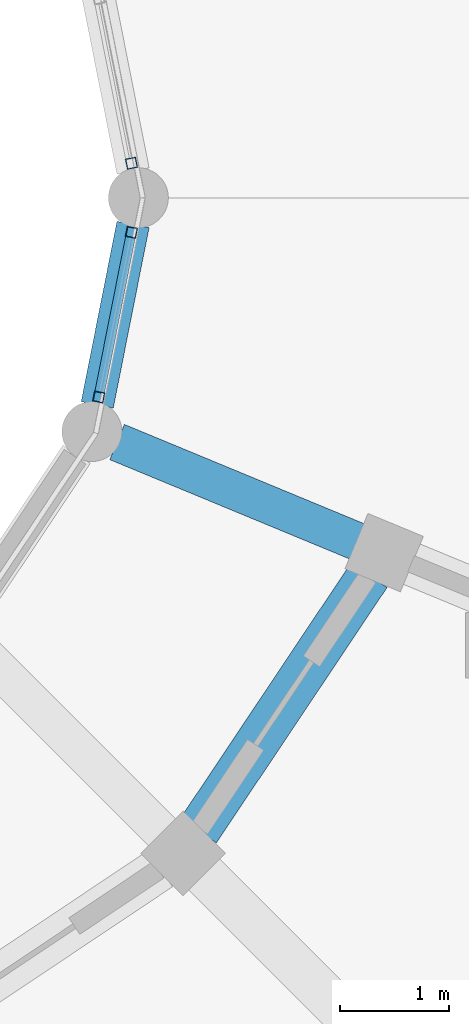
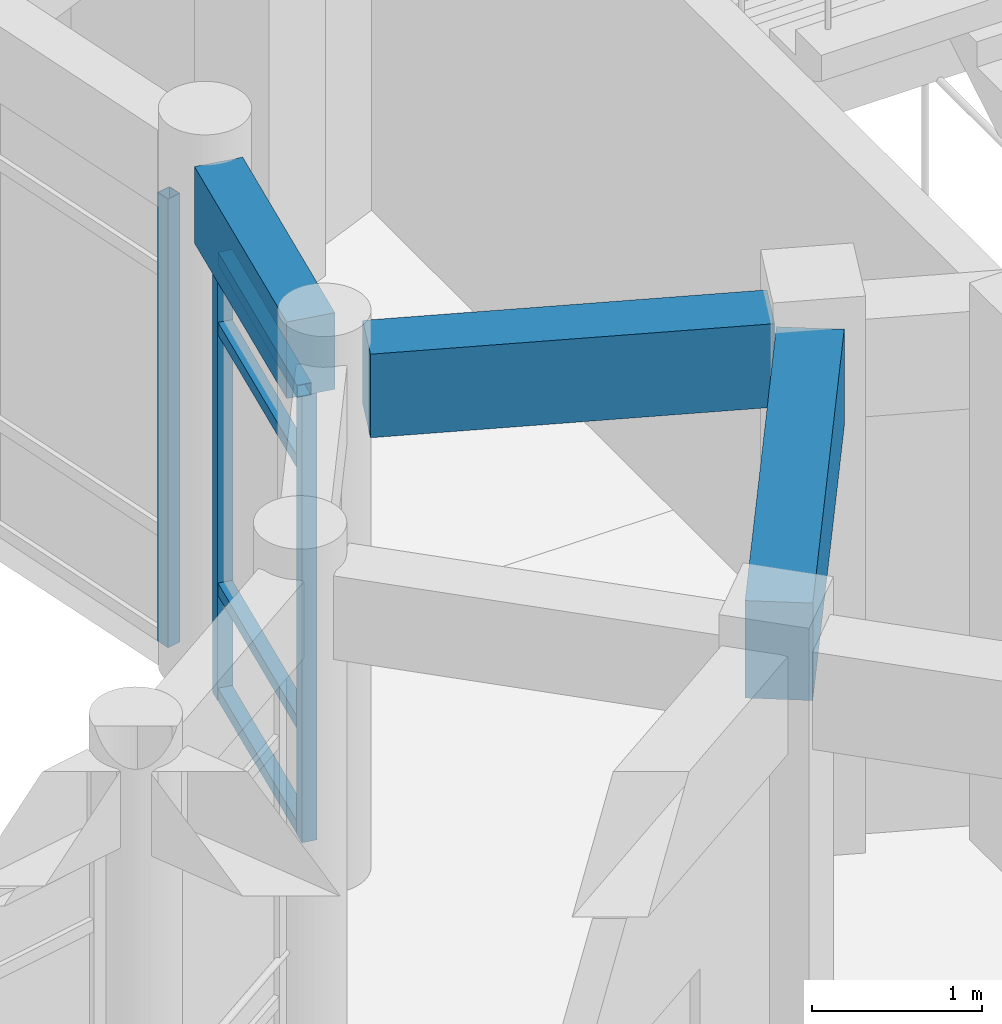
# One storey, part 29 of 112: 7 members, 3 beams, 2 elements without a shape of their own.
"""IFC4 building model written with IfcOpenShell, lengths in metres."""

import ifcopenshell
import ifcopenshell.guid

model = None  # the IFC model being written
_history = None  # IfcOwnerHistory: only IFC2X3 demands one
_inside = {}  # id of a spatial element -> (the spatial element, [elements in it])
_under = {}  # id of a project, library or spatial element -> (it, [spatial elements below it])
_declared = {}  # id of a project -> (the project, [libraries it declares])
_typed = {}  # id of a type object -> (the type object, [elements of that type])
_made_of = {}  # id of a material, layer set ... -> (it, [elements and type objects made of it])


def new_model(schema):
    """Start an empty IFC model of exactly this schema.

    Asked for "IFC4X3", IfcOpenShell would pick the latest addendum, in which some entities
    have other attributes; the version numbers below select the first issue.
    IFC2X3 requires an IfcOwnerHistory on every rooted entity: one is made here for all.
    """
    global model, _history
    if schema == "IFC4X3":
        model = ifcopenshell.file(schema_version=(4, 3, 0, 0))
    else:
        model = ifcopenshell.file(schema=schema)
    _inside.clear()
    _under.clear()
    _declared.clear()
    _typed.clear()
    _made_of.clear()
    _history = None
    if model.schema == "IFC2X3":
        org = make("IfcOrganization", Name="unknown")
        user = make(
            "IfcPersonAndOrganization",
            ThePerson=make("IfcPerson", FamilyName="unknown"),
            TheOrganization=org,
        )
        app = make(
            "IfcApplication",
            ApplicationDeveloper=org,
            Version="unknown",
            ApplicationFullName="unknown",
            ApplicationIdentifier="unknown",
        )
        _history = make(
            "IfcOwnerHistory",
            OwningUser=user,
            OwningApplication=app,
            ChangeAction="ADDED",
            CreationDate=0,
        )
    return model


def make(cls, **values):
    """One entity of the class cls with the attributes given. An attribute that is None is left unset."""
    return model.create_entity(
        cls, **{name: value for name, value in values.items() if value is not None}
    )


def rooted(cls, **values):
    """An entity with a GlobalId (a new one), such as an element, a storey or a relation."""
    return make(cls, GlobalId=ifcopenshell.guid.new(), OwnerHistory=_history, **values)


def si_unit(unit_type, name, prefix=None):
    """IfcSIUnit, for example si_unit("LENGTHUNIT", "METRE", prefix="MILLI")."""
    return make("IfcSIUnit", UnitType=unit_type, Prefix=prefix, Name=name)


def assignment(units):
    """IfcUnitAssignment: the units of a project."""
    return None if units is None else make("IfcUnitAssignment", Units=units)


def point(xyz):
    """IfcCartesianPoint."""
    return None if xyz is None else make("IfcCartesianPoint", Coordinates=xyz)


def direction(xyz):
    """IfcDirection."""
    return None if xyz is None else make("IfcDirection", DirectionRatios=xyz)


def frame(location, z_axis=None, x_axis=None):
    """IfcAxis2Placement3D, a coordinate frame: its origin and axes. An axis left out is left unset."""
    return make(
        "IfcAxis2Placement3D",
        Location=point(location),
        Axis=direction(z_axis),
        RefDirection=direction(x_axis),
    )


def frame_2d(location, x_axis=None):
    """IfcAxis2Placement2D, a coordinate frame in the plane: its origin and x axis."""
    return make(
        "IfcAxis2Placement2D", Location=point(location), RefDirection=direction(x_axis)
    )


def origin():
    """The frame at (0, 0, 0) with its axes left unset."""
    return frame((0.0, 0.0, 0.0))


def origin_2d():
    """The frame at (0, 0) in the plane with its x axis left unset."""
    return frame_2d((0.0, 0.0))


def place(relative_to, where):
    """IfcLocalPlacement: puts the frame where relative to a parent placement (None: the world)."""
    return make(
        "IfcLocalPlacement", PlacementRelTo=relative_to, RelativePlacement=where
    )


def context(
    kind, dimensions, precision=None, world=None, true_north=None, identifier=None
):
    """IfcGeometricRepresentationContext, for example the 3D "Model" context."""
    return make(
        "IfcGeometricRepresentationContext",
        ContextIdentifier=identifier,
        ContextType=kind,
        CoordinateSpaceDimension=dimensions,
        Precision=precision,
        WorldCoordinateSystem=world,
        TrueNorth=true_north,
    )


def subcontext(parent, identifier, kind, view, scale=None):
    """IfcGeometricRepresentationSubContext, for example "Body" below "Model"."""
    return make(
        "IfcGeometricRepresentationSubContext",
        ContextIdentifier=identifier,
        ContextType=kind,
        ParentContext=parent,
        TargetScale=scale,
        TargetView=view,
    )


def project(units=None, contexts=None):
    """IfcProject with its units and contexts."""
    return rooted(
        "IfcProject",
        Name="project",
        RepresentationContexts=contexts,
        UnitsInContext=assignment(units),
    )


def spatial(cls, under=None, at=None, **own):
    """A site, building, storey or space (cls), placed at a placement, below another one or the project."""
    s = rooted(cls, ObjectPlacement=at, **own)
    if under is not None:
        _under.setdefault(under.id(), (under, []))[1].append(s)
    return s


def profile(cls, at=None, kind="AREA", **sizes):
    """A parametric profile (cls). Its sizes go by their IFC names, for example OverallWidth=200.0."""
    return make(cls, ProfileType=kind, Position=at, **sizes)


def rectangle(**sizes):
    """IfcRectangleProfileDef."""
    return profile("IfcRectangleProfileDef", **sizes)


def hollow_rectangle(**sizes):
    """IfcRectangleHollowProfileDef."""
    return profile("IfcRectangleHollowProfileDef", **sizes)


def extrude(swept, where, along, depth):
    """IfcExtrudedAreaSolid: the profile swept, set in the frame where, extruded along a direction by depth."""
    return make(
        "IfcExtrudedAreaSolid",
        SweptArea=swept,
        Position=where,
        ExtrudedDirection=direction(along),
        Depth=depth,
    )


def shape(context_of_items, identifier, shape_type, items):
    """IfcShapeRepresentation: the items that make up one representation, for example the "Body"."""
    return make(
        "IfcShapeRepresentation",
        ContextOfItems=context_of_items,
        RepresentationIdentifier=identifier,
        RepresentationType=shape_type,
        Items=items,
    )


def material(Name=None, Category=None):
    """IfcMaterial."""
    return make("IfcMaterial", Name=Name, Category=Category)


def material_profile(
    of_material, cross_section, Name=None, Category=None, Priority=None
):
    """IfcMaterialProfile: a cross section and its material."""
    return make(
        "IfcMaterialProfile",
        Name=Name,
        Material=of_material,
        Profile=cross_section,
        Priority=Priority,
        Category=Category,
    )


def profile_set(profiles, Name=None, composite=None):
    """IfcMaterialProfileSet."""
    return make(
        "IfcMaterialProfileSet",
        Name=Name,
        MaterialProfiles=profiles,
        CompositeProfile=composite,
    )


def made_of(thing, what):
    """Note that an element or type object is made of a material, layer set ...; save() writes the relation."""
    if what is not None:
        _made_of.setdefault(what.id(), (what, []))[1].append(thing)
    return thing


def type_object(cls, material=None, **own):
    """A type object (cls), such as IfcWallType, which elements share."""
    return made_of(rooted(cls, **own), material)


def element(
    cls,
    number,
    at=None,
    inside=None,
    cuts=None,
    type_object=None,
    material=None,
    context=None,
    identifier="Body",
    shape_type=None,
    held_by="IfcProductDefinitionShape",
    body=None,
    shapes=None,
    **own,
):
    """One element of the class cls, such as IfcWall. Its Tag is "e" and its number.

    at: its placement. inside: the storey or other place that contains it. cuts: it is an
    opening in that element (IfcRelVoidsElement). A single representation is given by context,
    identifier, shape_type and body (its items); several are given by shapes. held_by: the class
    of the entity that holds the representations. save() writes the other relations.
    """
    e = rooted(cls, Tag="e%d" % number, ObjectPlacement=at, **own)
    if body is not None:
        shapes = [shape(context, identifier, shape_type, body)]
    if shapes is not None:
        e.Representation = make(held_by, Representations=shapes)
    if inside is not None:
        _inside.setdefault(inside.id(), (inside, []))[1].append(e)
    if cuts is not None:
        rooted(
            "IfcRelVoidsElement", RelatingBuildingElement=cuts, RelatedOpeningElement=e
        )
    if type_object is not None:
        _typed.setdefault(type_object.id(), (type_object, []))[1].append(e)
    return made_of(e, material)


def aggregate(whole, parts):
    """IfcRelAggregates: a whole, such as a stair, and the parts it consists of."""
    return rooted("IfcRelAggregates", RelatingObject=whole, RelatedObjects=parts)


def save(model, path):
    """Write the relations noted so far, then the file.

    IfcRelAggregates (storeys below a building ...), IfcRelContainedInSpatialStructure (elements
    in a storey), IfcRelDefinesByType, IfcRelAssociatesMaterial and IfcRelDeclares: one each for
    every whole, place, type object, material and project.
    """
    for whole, parts in _under.values():
        aggregate(whole, parts)
    for where, things in _inside.values():
        rooted(
            "IfcRelContainedInSpatialStructure",
            RelatedElements=things,
            RelatingStructure=where,
        )
    for kind, things in _typed.values():
        rooted("IfcRelDefinesByType", RelatedObjects=things, RelatingType=kind)
    for what, things in _made_of.values():
        rooted("IfcRelAssociatesMaterial", RelatedObjects=things, RelatingMaterial=what)
    for by, libraries in _declared.values():
        rooted("IfcRelDeclares", RelatingContext=by, RelatedDefinitions=libraries)
    model.write(path)


model = new_model("IFC4")

# Units and contexts
model_context = context("Model", 3, precision=1e-05, world=origin(), true_north=direction((0.0, 1.0)))
body_context = subcontext(model_context, "Body", "Model", "MODEL_VIEW")
ifc_project = project(units=[si_unit("LENGTHUNIT", "METRE"), si_unit("AREAUNIT", "SQUARE_METRE"), si_unit("VOLUMEUNIT", "CUBIC_METRE"), si_unit("PLANEANGLEUNIT", "RADIAN"), si_unit("MASSUNIT", "GRAM", prefix="KILO")], contexts=[model_context])

# Site, building, storey
site_placement = place(None, origin())
site = spatial("IfcSite", under=ifc_project, at=site_placement, CompositionType="ELEMENT")
building_placement = place(site_placement, origin())
building = spatial("IfcBuilding", under=site, at=building_placement, Name="Celadon Cloister-Ring School", CompositionType="ELEMENT")
storey_placement = place(building_placement, frame((0.0, 0.0, 8.5)))
storey = spatial("IfcBuildingStorey", under=building, at=storey_placement, Name="L02", CompositionType="ELEMENT", Elevation=8.5)

# Beam
ifc_material_1 = material(Name="Concrete C35/45", Category="concrete")
ifc_material_profile_1 = material_profile(ifc_material_1, rectangle(XDim=0.35009765625, YDim=0.60009765625, at=origin_2d()), Name="RC350X600")
ifc_profile_set_1 = profile_set([ifc_material_profile_1], Name="Concrete C35/45")
beam_type_1 = type_object("IfcBeamType", Name="BT-02", PredefinedType="BEAM", material=ifc_profile_set_1)
beam_1_placement = place(storey_placement, frame((27.822021484375, 93.843017578125, 3.47998046875), z_axis=(-0.923932522988, 0.382555476978, 0.0), x_axis=(-0.382555476978, -0.923932522988, 0.0)))
element("IfcBeam", 1, at=beam_1_placement, inside=storey, type_object=beam_type_1, Name="Beam 0757", PredefinedType="BEAM", context=body_context, shape_type="SweptSolid", body=[
    extrude(rectangle(XDim=0.35009765625, YDim=0.60009765625, at=origin_2d()), origin(), (0.0, 0.0, 1.0), 2.399658203125),
])

# Curtain wall, member
ifc_material_2 = material(Name="Aluminium EN AW-6063 T6", Category="aluminium")
curtain_wall_type = type_object("IfcCurtainWallType", Name="CW-04", PredefinedType="USERDEFINED", material=ifc_material_2)
curtain_wall_1_placement = place(storey_placement, origin())
curtain_wall_1 = element("IfcCurtainWall", 2, at=curtain_wall_1_placement, inside=storey, type_object=curtain_wall_type, Name="Curtain Wall 0103", ObjectType="CURTAIN WALL", PredefinedType="USERDEFINED")
ifc_material_3 = material(Name="Aluminium EN AW-6063 T6", Category="aluminium")
ifc_material_profile_2 = material_profile(ifc_material_3, hollow_rectangle(XDim=0.094970703125, YDim=0.094970703125, WallThickness=0.00390625, at=origin_2d()), Name="RHS95X95X4")
ifc_profile_set_2 = profile_set([ifc_material_profile_2], Name="Aluminium EN AW-6063 T6")
member_type_1 = type_object("IfcMemberType", Name="CM-02", PredefinedType="MULLION", material=ifc_profile_set_2)
member_1_placement = place(storey_placement, frame((25.73681640625, 97.316650390625, 0.0), z_axis=(0.0, 0.0, 1.0), x_axis=(-0.980885435464, -0.194586131301, 0.0)))
member_1 = element("IfcMember", 3, at=member_1_placement, type_object=member_type_1, Name="CW-04 mullion 1", PredefinedType="MULLION", context=body_context, shape_type="SweptSolid", body=[
    extrude(hollow_rectangle(XDim=0.094970703125, YDim=0.094970703125, WallThickness=0.00390625, at=origin_2d()), origin(), (0.0, 0.0, 1.0), 3.221923828125),
])
aggregate(curtain_wall_1, [member_1])

# Curtain wall, members
curtain_wall_2_placement = place(storey_placement, origin())
curtain_wall_2 = element("IfcCurtainWall", 4, at=curtain_wall_2_placement, inside=storey, type_object=curtain_wall_type, Name="Curtain Wall 0114", ObjectType="CURTAIN WALL", PredefinedType="USERDEFINED")
member_2_placement = place(storey_placement, frame((25.437255859375, 95.173583984375, 0.0), z_axis=(0.0, 0.0, 1.0), x_axis=(-0.980885435464, 0.194586131301, 0.0)))
member_2 = element("IfcMember", 5, at=member_2_placement, type_object=member_type_1, Name="CW-04 mullion 1", PredefinedType="MULLION", context=body_context, shape_type="SweptSolid", body=[
    extrude(hollow_rectangle(XDim=0.094970703125, YDim=0.094970703125, WallThickness=0.00390625, at=origin_2d()), origin(), (0.0, 0.0, 1.0), 3.221923828125),
])
member_3_placement = place(storey_placement, frame((25.73681640625, 96.683349609375, 0.0), z_axis=(0.0, 0.0, 1.0), x_axis=(-0.980885435464, 0.194586131301, 0.0)))
member_3 = element("IfcMember", 6, at=member_3_placement, type_object=member_type_1, Name="CW-04 mullion 2", PredefinedType="MULLION", context=body_context, shape_type="SweptSolid", body=[
    extrude(hollow_rectangle(XDim=0.094970703125, YDim=0.094970703125, WallThickness=0.00390625, at=origin_2d()), origin(), (0.0, 0.0, 1.0), 3.221923828125),
])
ifc_material_4 = material(Name="Aluminium EN AW-6063 T6", Category="aluminium")
ifc_material_profile_3 = material_profile(ifc_material_4, hollow_rectangle(XDim=0.090087890625, YDim=0.090087890625, WallThickness=0.00390625, at=origin_2d()), Name="RHS90X90X4")
ifc_profile_set_3 = profile_set([ifc_material_profile_3], Name="Aluminium EN AW-6063 T6")
member_type_2 = type_object("IfcMemberType", Name="CTM-02", PredefinedType="USERDEFINED", material=ifc_profile_set_3)
member_4_placement = place(storey_placement, frame((25.446533203125, 95.22021484375, 0.044921875), z_axis=(0.194587856315, 0.980885093257, 0.0), x_axis=(-0.980885093257, 0.194587856315, 0.0)))
member_4 = element("IfcMember", 7, at=member_4_placement, type_object=member_type_2, Name="CW-04 transom 1.1", ObjectType="TRANSOM", PredefinedType="USERDEFINED", context=body_context, shape_type="SweptSolid", body=[
    extrude(hollow_rectangle(XDim=0.090087890625, YDim=0.090087890625, WallThickness=0.00390625, at=origin_2d()), origin(), (0.0, 0.0, 1.0), 1.444091796875),
])
member_5_placement = place(storey_placement, frame((25.446533203125, 95.22021484375, 0.800048828125), z_axis=(0.194587856315, 0.980885093257, 0.0), x_axis=(-0.980885093257, 0.194587856315, 0.0)))
member_5 = element("IfcMember", 8, at=member_5_placement, type_object=member_type_2, Name="CW-04 transom 1.2", ObjectType="TRANSOM", PredefinedType="USERDEFINED", context=body_context, shape_type="SweptSolid", body=[
    extrude(hollow_rectangle(XDim=0.090087890625, YDim=0.090087890625, WallThickness=0.00390625, at=origin_2d()), origin(), (0.0, 0.0, 1.0), 1.444091796875),
])
member_6_placement = place(storey_placement, frame((25.446533203125, 95.22021484375, 2.672119140625), z_axis=(0.194587856315, 0.980885093257, 0.0), x_axis=(-0.980885093257, 0.194587856315, 0.0)))
member_6 = element("IfcMember", 9, at=member_6_placement, type_object=member_type_2, Name="CW-04 transom 1.3", ObjectType="TRANSOM", PredefinedType="USERDEFINED", context=body_context, shape_type="SweptSolid", body=[
    extrude(hollow_rectangle(XDim=0.090087890625, YDim=0.090087890625, WallThickness=0.00390625, at=origin_2d()), origin(), (0.0, 0.0, 1.0), 1.444091796875),
])
member_7_placement = place(storey_placement, frame((25.446533203125, 95.22021484375, 3.177001953125), z_axis=(0.194587856315, 0.980885093257, 0.0), x_axis=(-0.980885093257, 0.194587856315, 0.0)))
member_7 = element("IfcMember", 10, at=member_7_placement, type_object=member_type_2, Name="CW-04 transom 1.4", ObjectType="TRANSOM", PredefinedType="USERDEFINED", context=body_context, shape_type="SweptSolid", body=[
    extrude(hollow_rectangle(XDim=0.090087890625, YDim=0.090087890625, WallThickness=0.00390625, at=origin_2d()), origin(), (0.0, 0.0, 1.0), 1.444091796875),
])
aggregate(curtain_wall_2, [member_2, member_3, member_4, member_5, member_6, member_7])

# Beams
ifc_material_5 = material(Name="Concrete C35/45", Category="concrete")
ifc_material_profile_4 = material_profile(ifc_material_5, rectangle(XDim=0.39990234375, YDim=0.699951171875, at=origin_2d()), Name="RC400X700")
ifc_profile_set_4 = profile_set([ifc_material_profile_4], Name="Concrete C35/45")
beam_type_2 = type_object("IfcBeamType", Name="GT-03", PredefinedType="USERDEFINED", material=ifc_profile_set_4)
beam_2_placement = place(storey_placement, frame((26.34912109375, 91.197998046875, 3.429931640625), z_axis=(0.555740149771, 0.831356052442, 0.0), x_axis=(-0.831356052442, 0.555740149771, 0.0)))
element("IfcBeam", 11, at=beam_2_placement, inside=storey, type_object=beam_type_2, Name="Beam 0803", ObjectType="GIRDER", PredefinedType="USERDEFINED", context=body_context, shape_type="SweptSolid", body=[
    extrude(rectangle(XDim=0.39990234375, YDim=0.699951171875, at=origin_2d()), origin(), (0.0, 0.0, 1.0), 2.81591796875),
])
ifc_material_6 = material(Name="Concrete C35/45", Category="concrete")
ifc_material_profile_5 = material_profile(ifc_material_6, rectangle(XDim=0.300048828125, YDim=0.550048828125, at=origin_2d()), Name="RC300X550")
ifc_profile_set_5 = profile_set([ifc_material_profile_5], Name="Concrete C35/45")
beam_type_3 = type_object("IfcBeamType", Name="SP-02", PredefinedType="SPANDREL", material=ifc_profile_set_5)
beam_3_placement = place(storey_placement, frame((25.423095703125, 95.10205078125, 3.5048828125), z_axis=(0.194583435458, 0.980885970256, 0.0), x_axis=(-0.980885970256, 0.194583435458, 0.0)))
element("IfcBeam", 12, at=beam_3_placement, inside=storey, type_object=beam_type_3, Name="Beam 0807", PredefinedType="SPANDREL", context=body_context, shape_type="SweptSolid", body=[
    extrude(rectangle(XDim=0.300048828125, YDim=0.550048828125, at=origin_2d()), origin(), (0.0, 0.0, 1.0), 1.68505859375),
])

save(model, "model.ifc")
